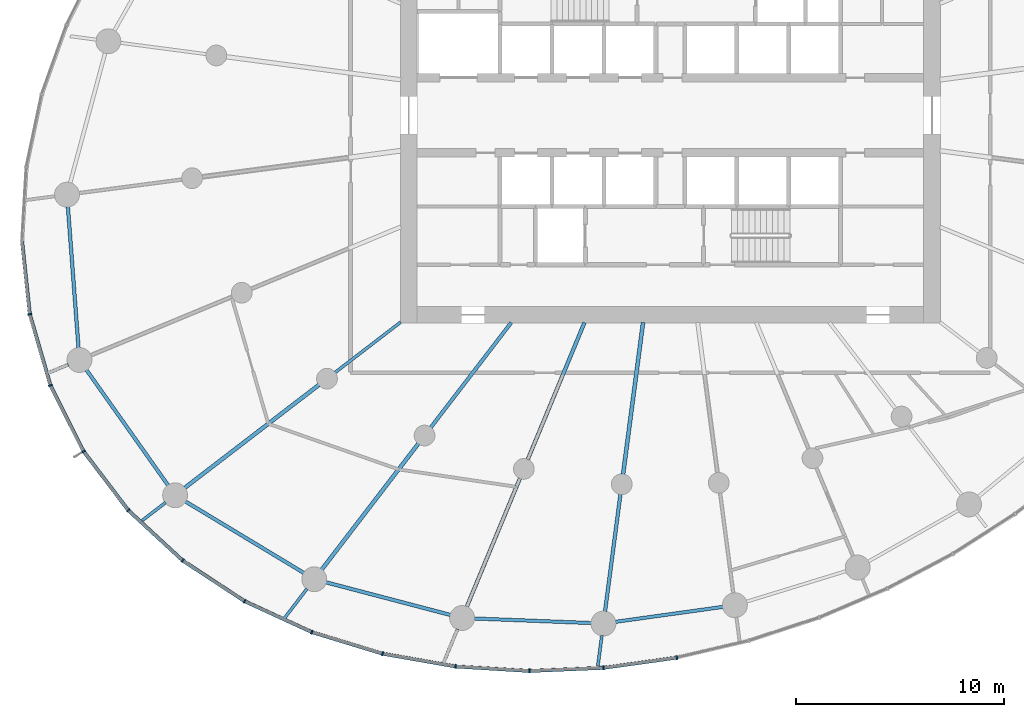
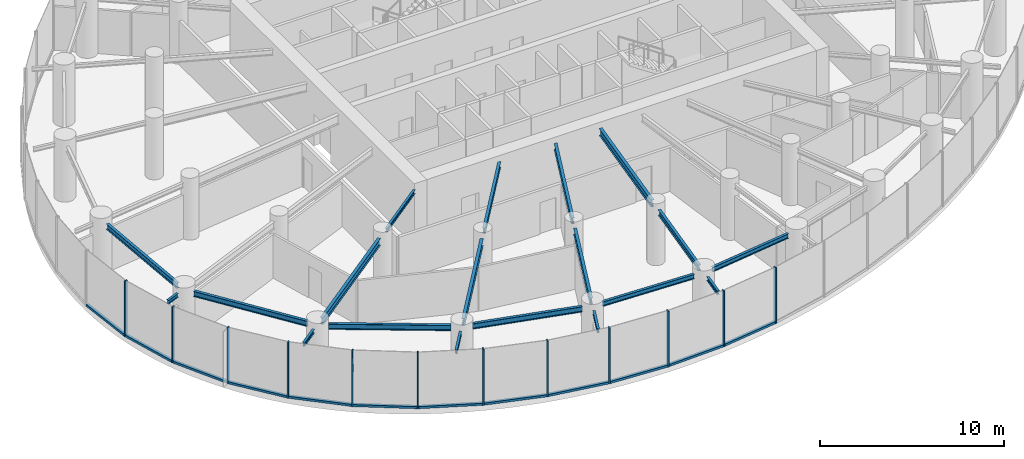
# One storey, part 2 of 17: 24 members, 19 beams, 3 elements without a shape of their own.
"""IFC4 building model written with IfcOpenShell, lengths in metres."""

from ifc_helpers import new_model, si_unit, direction, frame, origin, origin_2d, place, context, subcontext, project, spatial, rectangle, i_section, extrude, source, transform, mapped, material, layer, layer_set, material_profile, profile_set, type_object, element, aggregate, save


model = new_model("IFC4")

# Units and contexts
model_context = context("Model", 3, precision=1e-05, world=origin(), true_north=direction((0.0, 1.0)))
body_context = subcontext(model_context, "Body", "Model", "MODEL_VIEW")
ifc_project = project(units=[si_unit("LENGTHUNIT", "METRE"), si_unit("AREAUNIT", "SQUARE_METRE"), si_unit("VOLUMEUNIT", "CUBIC_METRE"), si_unit("PLANEANGLEUNIT", "RADIAN"), si_unit("MASSUNIT", "GRAM", prefix="KILO")], contexts=[model_context])

# Site, building, storey
site_placement = place(None, origin())
site = spatial("IfcSite", under=ifc_project, at=site_placement, CompositionType="ELEMENT")
building_placement = place(site_placement, origin())
building = spatial("IfcBuilding", under=site, at=building_placement, Name="Spindrift Exchange Tower", CompositionType="ELEMENT")
storey_placement = place(building_placement, frame((0.0, 0.0, 108.5)))
storey = spatial("IfcBuildingStorey", under=building, at=storey_placement, Name="L25", CompositionType="ELEMENT", Elevation=108.5)

# Beams
ifc_material_1 = material(Name="Steel Grade 300", Category="steel")
ifc_material_profile_1 = material_profile(ifc_material_1, i_section(OverallWidth=0.14599609375, OverallDepth=0.251953125, WebThickness=0.006103515625, FlangeThickness=0.008544921875, FilletRadius=0.011962890625, at=origin_2d()), Name="250UB31.4")
ifc_profile_set_1 = profile_set([ifc_material_profile_1], Name="Steel Grade 300")
beam_type_1 = type_object("IfcBeamType", Name="Floor Beam 250UB31.4 Steel Grade 300", PredefinedType="BEAM", material=ifc_profile_set_1)
shared_shape_1 = source(origin(), body_context, "Body", "SweptSolid", [
    extrude(i_section(OverallWidth=0.14599609375, OverallDepth=0.251953125, WebThickness=0.006103515625, FlangeThickness=0.008544921875, FilletRadius=0.011962890625, at=origin_2d()), origin(), (0.0, 0.0, 1.0), 3.99560546875),
])
beam_1_placement = place(storey_placement, frame((39.015869140625, 38.036865234375, 3.573974609375), z_axis=(-0.793352561574, -0.608762443851, 0.0), x_axis=(0.608762443851, -0.793352561574, 0.0)))
element("IfcBeam", 1, at=beam_1_placement, inside=storey, type_object=beam_type_1, Name="L25 radial beam R15A", PredefinedType="BEAM", context=body_context, shape_type="MappedRepresentation", body=[
    mapped(shared_shape_1, transform((0.0, 0.0, 0.0), scale=1.0)),
])
ifc_material_profile_2 = material_profile(ifc_material_1, i_section(OverallWidth=0.172119140625, OverallDepth=0.35888671875, WebThickness=0.008056640625, FlangeThickness=0.012939453125, FilletRadius=0.013916015625, at=origin_2d()), Name="360UB56.7")
ifc_profile_set_2 = profile_set([ifc_material_profile_2], Name="Steel Grade 300")
beam_type_2 = type_object("IfcBeamType", Name="Floor Beam 360UB56.7 Steel Grade 300", PredefinedType="BEAM", material=ifc_profile_set_2)
shared_shape_2 = source(origin(), body_context, "Body", "SweptSolid", [
    extrude(i_section(OverallWidth=0.172119140625, OverallDepth=0.35888671875, WebThickness=0.008056640625, FlangeThickness=0.012939453125, FilletRadius=0.013916015625, at=origin_2d()), origin(), (0.0, 0.0, 1.0), 6.37646484375),
])
beam_2_placement = place(storey_placement, frame((44.3388671875, 38.015869140625, 3.5205078125), z_axis=(-0.608766669952, -0.793349318747, 0.0), x_axis=(0.793349318747, -0.608766669952, 0.0)))
element("IfcBeam", 2, at=beam_2_placement, inside=storey, type_object=beam_type_2, Name="L25 radial beam R16A", PredefinedType="BEAM", context=body_context, shape_type="MappedRepresentation", body=[
    mapped(shared_shape_2, transform((0.0, 0.0, 0.0), scale=1.0)),
])
ifc_material_profile_3 = material_profile(ifc_material_1, i_section(OverallWidth=0.177978515625, OverallDepth=0.406005859375, WebThickness=0.0078125, FlangeThickness=0.0126953125, FilletRadius=0.013916015625, at=origin_2d()), Name="410UB59.7")
ifc_profile_set_3 = profile_set([ifc_material_profile_3], Name="Steel Grade 300")
beam_type_3 = type_object("IfcBeamType", Name="Floor Beam 410UB59.7 Steel Grade 300", PredefinedType="BEAM", material=ifc_profile_set_3)
shared_shape_3 = source(origin(), body_context, "Body", "SweptSolid", [
    extrude(i_section(OverallWidth=0.177978515625, OverallDepth=0.406005859375, WebThickness=0.0078125, FlangeThickness=0.0126953125, FilletRadius=0.013916015625, at=origin_2d()), origin(), (0.0, 0.0, 1.0), 7.150634765625),
])
beam_3_placement = place(storey_placement, frame((47.865478515625, 38.0185546875, 3.4970703125), z_axis=(-0.382665393358, -0.923887004306, 0.0), x_axis=(0.923887004306, -0.382665393358, 0.0)))
element("IfcBeam", 3, at=beam_3_placement, inside=storey, type_object=beam_type_3, Name="L25 radial beam R17A", PredefinedType="BEAM", context=body_context, shape_type="MappedRepresentation", body=[
    mapped(shared_shape_3, transform((0.0, 0.0, 0.0), scale=1.0)),
])
ifc_material_profile_4 = material_profile(ifc_material_1, i_section(OverallWidth=0.18994140625, OverallDepth=0.45703125, WebThickness=0.009033203125, FlangeThickness=0.014404296875, FilletRadius=0.013916015625, at=origin_2d()), Name="460UB74.6")
ifc_profile_set_4 = profile_set([ifc_material_profile_4], Name="Steel Grade 300")
beam_type_4 = type_object("IfcBeamType", Name="Floor Beam 460UB74.6 Steel Grade 300", PredefinedType="BEAM", material=ifc_profile_set_4)
shared_shape_4 = source(origin(), body_context, "Body", "SweptSolid", [
    extrude(i_section(OverallWidth=0.18994140625, OverallDepth=0.45703125, WebThickness=0.009033203125, FlangeThickness=0.014404296875, FilletRadius=0.013916015625, at=origin_2d()), origin(), (0.0, 0.0, 1.0), 7.374267578125),
])
beam_4_placement = place(storey_placement, frame((50.68603515625, 38.019775390625, 3.471435546875), z_axis=(-0.130539295622, -0.99144313619, 0.0), x_axis=(0.99144313619, -0.130539295622, 0.0)))
element("IfcBeam", 4, at=beam_4_placement, inside=storey, type_object=beam_type_4, Name="L25 radial beam R18A", PredefinedType="BEAM", context=body_context, shape_type="MappedRepresentation", body=[
    mapped(shared_shape_4, transform((0.0, 0.0, 0.0), scale=1.0)),
])
shared_shape_5 = source(origin(), body_context, "Body", "SweptSolid", [
    extrude(i_section(OverallWidth=0.18994140625, OverallDepth=0.45703125, WebThickness=0.009033203125, FlangeThickness=0.014404296875, FilletRadius=0.013916015625, at=origin_2d()), origin(), (0.0, 0.0, 1.0), 8.158447265625),
])
beam_5_placement = place(storey_placement, frame((35.08447265625, 35.020263671875, 3.471435546875), z_axis=(-0.793358732539, -0.608754401631, 0.0), x_axis=(0.608754401631, -0.793358732539, 0.0)))
element("IfcBeam", 5, at=beam_5_placement, inside=storey, type_object=beam_type_4, Name="L25 radial beam R15B", PredefinedType="BEAM", context=body_context, shape_type="MappedRepresentation", body=[
    mapped(shared_shape_5, transform((0.0, 0.0, 0.0), scale=1.0)),
])
shared_shape_6 = source(origin(), body_context, "Body", "SweptSolid", [
    extrude(i_section(OverallWidth=0.18994140625, OverallDepth=0.45703125, WebThickness=0.009033203125, FlangeThickness=0.014404296875, FilletRadius=0.013916015625, at=origin_2d()), origin(), (0.0, 0.0, 1.0), 7.663818359375),
])
beam_6_placement = place(storey_placement, frame((39.872802734375, 32.1953125, 3.471435546875), z_axis=(-0.608771227503, -0.793345821546, 0.0), x_axis=(0.793345821546, -0.608771227503, 0.0)))
element("IfcBeam", 6, at=beam_6_placement, inside=storey, type_object=beam_type_4, Name="L25 radial beam R16B", PredefinedType="BEAM", context=body_context, shape_type="MappedRepresentation", body=[
    mapped(shared_shape_6, transform((0.0, 0.0, 0.0), scale=1.0)),
])
shared_shape_7 = source(origin(), body_context, "Body", "SweptSolid", [
    extrude(i_section(OverallWidth=0.177978515625, OverallDepth=0.406005859375, WebThickness=0.0078125, FlangeThickness=0.0126953125, FilletRadius=0.013916015625, at=origin_2d()), origin(), (0.0, 0.0, 1.0), 6.71240234375),
])
beam_7_placement = place(storey_placement, frame((44.76171875, 30.525146484375, 3.4970703125), z_axis=(-0.382669812754, -0.923885173821, 0.0), x_axis=(0.923885173821, -0.382669812754, 0.0)))
element("IfcBeam", 7, at=beam_7_placement, inside=storey, type_object=beam_type_3, Name="L25 radial beam R17B", PredefinedType="BEAM", context=body_context, shape_type="MappedRepresentation", body=[
    mapped(shared_shape_7, transform((0.0, 0.0, 0.0), scale=1.0)),
])
shared_shape_8 = source(origin(), body_context, "Body", "SweptSolid", [
    extrude(i_section(OverallWidth=0.172119140625, OverallDepth=0.35888671875, WebThickness=0.008056640625, FlangeThickness=0.012939453125, FilletRadius=0.013916015625, at=origin_2d()), origin(), (0.0, 0.0, 1.0), 5.70751953125),
])
beam_8_placement = place(storey_placement, frame((49.59814453125, 29.7568359375, 3.5205078125), z_axis=(-0.130507624881, -0.991447305634, 0.0), x_axis=(0.991447305634, -0.130507624881, 0.0)))
element("IfcBeam", 8, at=beam_8_placement, inside=storey, type_object=beam_type_2, Name="L25 radial beam R18B", PredefinedType="BEAM", context=body_context, shape_type="MappedRepresentation", body=[
    mapped(shared_shape_8, transform((0.0, 0.0, 0.0), scale=1.0)),
])
ifc_material_profile_5 = material_profile(ifc_material_1, i_section(OverallWidth=0.172119140625, OverallDepth=0.35888671875, WebThickness=0.008056640625, FlangeThickness=0.012939453125, FilletRadius=0.013916015625, at=origin_2d()), Name="360UB56.7")
ifc_profile_set_5 = profile_set([ifc_material_profile_5], Name="Steel Grade 300")
beam_type_5 = type_object("IfcBeamType", Name="Edge Beam 360UB56.7 Steel Grade 300", PredefinedType="SPANDREL", material=ifc_profile_set_5)
shared_shape_9 = source(origin(), body_context, "Body", "SweptSolid", [
    extrude(i_section(OverallWidth=0.172119140625, OverallDepth=0.35888671875, WebThickness=0.008056640625, FlangeThickness=0.012939453125, FilletRadius=0.013916015625, at=origin_2d()), origin(), (0.0, 0.0, 1.0), 6.82373046875),
])
beam_9_placement = place(storey_placement, frame((22.9873046875, 43.59619140625, 3.5205078125), z_axis=(0.075276463877, -0.997162701863, 0.0), x_axis=(0.997162701863, 0.075276463877, 0.0)))
element("IfcBeam", 9, at=beam_9_placement, inside=storey, type_object=beam_type_5, Name="L25 edge beam E13", PredefinedType="SPANDREL", context=body_context, shape_type="MappedRepresentation", body=[
    mapped(shared_shape_9, transform((0.0, 0.0, 0.0), scale=1.0)),
])
shared_shape_10 = source(origin(), body_context, "Body", "SweptSolid", [
    extrude(i_section(OverallWidth=0.172119140625, OverallDepth=0.35888671875, WebThickness=0.008056640625, FlangeThickness=0.012939453125, FilletRadius=0.013916015625, at=origin_2d()), origin(), (0.0, 0.0, 1.0), 6.81787109375),
])
beam_10_placement = place(storey_placement, frame((23.87939453125, 35.739990234375, 3.5205078125), z_axis=(0.577526426198, -0.816371990604, 0.0), x_axis=(0.816371990604, 0.577526426198, 0.0)))
element("IfcBeam", 10, at=beam_10_placement, inside=storey, type_object=beam_type_5, Name="L25 edge beam E14", PredefinedType="SPANDREL", context=body_context, shape_type="MappedRepresentation", body=[
    mapped(shared_shape_10, transform((0.0, 0.0, 0.0), scale=1.0)),
])
shared_shape_11 = source(origin(), body_context, "Body", "SweptSolid", [
    extrude(i_section(OverallWidth=0.172119140625, OverallDepth=0.35888671875, WebThickness=0.008056640625, FlangeThickness=0.012939453125, FilletRadius=0.013916015625, at=origin_2d()), origin(), (0.0, 0.0, 1.0), 6.668701171875),
])
beam_11_placement = place(storey_placement, frame((28.6484375, 29.40087890625, 3.5205078125), z_axis=(0.856133207479, -0.516755194508, 0.0), x_axis=(0.516755194508, 0.856133207479, 0.0)))
element("IfcBeam", 11, at=beam_11_placement, inside=storey, type_object=beam_type_5, Name="L25 edge beam E15", PredefinedType="SPANDREL", context=body_context, shape_type="MappedRepresentation", body=[
    mapped(shared_shape_11, transform((0.0, 0.0, 0.0), scale=1.0)),
])
shared_shape_12 = source(origin(), body_context, "Body", "SweptSolid", [
    extrude(i_section(OverallWidth=0.172119140625, OverallDepth=0.35888671875, WebThickness=0.008056640625, FlangeThickness=0.012939453125, FilletRadius=0.013916015625, at=origin_2d()), origin(), (0.0, 0.0, 1.0), 6.197509765625),
])
beam_12_placement = place(storey_placement, frame((35.415283203125, 25.508056640625, 3.5205078125), z_axis=(0.967254420813, -0.253808757567, 0.0), x_axis=(0.253808757567, 0.967254420813, 0.0)))
element("IfcBeam", 12, at=beam_12_placement, inside=storey, type_object=beam_type_5, Name="L25 edge beam E16", PredefinedType="SPANDREL", context=body_context, shape_type="MappedRepresentation", body=[
    mapped(shared_shape_12, transform((0.0, 0.0, 0.0), scale=1.0)),
])
ifc_material_profile_6 = material_profile(ifc_material_1, i_section(OverallWidth=0.1650390625, OverallDepth=0.303955078125, WebThickness=0.006103515625, FlangeThickness=0.01025390625, FilletRadius=0.011474609375, at=origin_2d()), Name="310UB40.4")
ifc_profile_set_6 = profile_set([ifc_material_profile_6], Name="Steel Grade 300")
beam_type_6 = type_object("IfcBeamType", Name="Edge Beam 310UB40.4 Steel Grade 300", PredefinedType="SPANDREL", material=ifc_profile_set_6)
shared_shape_13 = source(origin(), body_context, "Body", "SweptSolid", [
    extrude(i_section(OverallWidth=0.1650390625, OverallDepth=0.303955078125, WebThickness=0.006103515625, FlangeThickness=0.01025390625, FilletRadius=0.011474609375, at=origin_2d()), origin(), (0.0, 0.0, 1.0), 5.65185546875),
])
beam_13_placement = place(storey_placement, frame((42.550537109375, 23.765380859375, 3.548095703125), z_axis=(0.99924397539, -0.038877726865, 0.0), x_axis=(0.038877726865, 0.99924397539, 0.0)))
element("IfcBeam", 13, at=beam_13_placement, inside=storey, type_object=beam_type_6, Name="L25 edge beam E17", PredefinedType="SPANDREL", context=body_context, shape_type="MappedRepresentation", body=[
    mapped(shared_shape_13, transform((0.0, 0.0, 0.0), scale=1.0)),
])
shared_shape_14 = source(origin(), body_context, "Body", "SweptSolid", [
    extrude(i_section(OverallWidth=0.1650390625, OverallDepth=0.303955078125, WebThickness=0.006103515625, FlangeThickness=0.01025390625, FilletRadius=0.011474609375, at=origin_2d()), origin(), (0.0, 0.0, 1.0), 5.22998046875),
])
beam_14_placement = place(storey_placement, frame((49.35205078125, 23.603271484375, 3.548095703125), z_axis=(0.990440078597, 0.137943650481, 0.0), x_axis=(-0.137943650481, 0.990440078597, 0.0)))
element("IfcBeam", 14, at=beam_14_placement, inside=storey, type_object=beam_type_6, Name="L25 edge beam E18", PredefinedType="SPANDREL", context=body_context, shape_type="MappedRepresentation", body=[
    mapped(shared_shape_14, transform((0.0, 0.0, 0.0), scale=1.0)),
])
ifc_material_profile_7 = material_profile(ifc_material_1, i_section(OverallWidth=0.14599609375, OverallDepth=0.251953125, WebThickness=0.006103515625, FlangeThickness=0.008544921875, FilletRadius=0.011962890625, at=origin_2d()), Name="250UB31.4")
ifc_profile_set_7 = profile_set([ifc_material_profile_7], Name="Steel Grade 300")
beam_type_7 = type_object("IfcBeamType", Name="Cantilever Beam 250UB31.4 Steel Grade 300", PredefinedType="BEAM", material=ifc_profile_set_7)
shared_shape_15 = source(origin(), body_context, "Body", "SweptSolid", [
    extrude(i_section(OverallWidth=0.14599609375, OverallDepth=0.251953125, WebThickness=0.006103515625, FlangeThickness=0.008544921875, FilletRadius=0.011962890625, at=origin_2d()), origin(), (0.0, 0.0, 1.0), 0.8896484375),
])
beam_15_placement = place(storey_placement, frame((23.0087890625, 35.991455078125, 3.573974609375), z_axis=(-0.923806046663, -0.38286079474, 0.0), x_axis=(0.38286079474, -0.923806046663, 0.0)))
element("IfcBeam", 15, at=beam_15_placement, inside=storey, type_object=beam_type_7, Name="L25 cantilever beam R14T", PredefinedType="BEAM", context=body_context, shape_type="MappedRepresentation", body=[
    mapped(shared_shape_15, transform((0.0, 0.0, 0.0), scale=1.0)),
])
shared_shape_16 = source(origin(), body_context, "Body", "SweptSolid", [
    extrude(i_section(OverallWidth=0.14599609375, OverallDepth=0.251953125, WebThickness=0.006103515625, FlangeThickness=0.008544921875, FilletRadius=0.011962890625, at=origin_2d()), origin(), (0.0, 0.0, 1.0), 1.416015625),
])
beam_16_placement = place(storey_placement, frame((27.691650390625, 29.347412109375, 3.573974609375), z_axis=(-0.793456484075, -0.608626985829, 0.0), x_axis=(0.608626985829, -0.793456484075, 0.0)))
element("IfcBeam", 16, at=beam_16_placement, inside=storey, type_object=beam_type_7, Name="L25 cantilever beam R15T", PredefinedType="BEAM", context=body_context, shape_type="MappedRepresentation", body=[
    mapped(shared_shape_16, transform((0.0, 0.0, 0.0), scale=1.0)),
])
shared_shape_17 = source(origin(), body_context, "Body", "SweptSolid", [
    extrude(i_section(OverallWidth=0.14599609375, OverallDepth=0.251953125, WebThickness=0.006103515625, FlangeThickness=0.008544921875, FilletRadius=0.011962890625, at=origin_2d()), origin(), (0.0, 0.0, 1.0), 1.8271484375),
])
beam_17_placement = place(storey_placement, frame((34.501220703125, 25.195068359375, 3.573974609375), z_axis=(-0.608728828433, -0.793378354529, 0.0), x_axis=(0.793378354529, -0.608728828433, 0.0)))
element("IfcBeam", 17, at=beam_17_placement, inside=storey, type_object=beam_type_7, Name="L25 cantilever beam R16T", PredefinedType="BEAM", context=body_context, shape_type="MappedRepresentation", body=[
    mapped(shared_shape_17, transform((0.0, 0.0, 0.0), scale=1.0)),
])
shared_shape_18 = source(origin(), body_context, "Body", "SweptSolid", [
    extrude(i_section(OverallWidth=0.14599609375, OverallDepth=0.251953125, WebThickness=0.006103515625, FlangeThickness=0.008544921875, FilletRadius=0.011962890625, at=origin_2d()), origin(), (0.0, 0.0, 1.0), 1.7861328125),
])
beam_18_placement = place(storey_placement, frame((41.7490234375, 23.251953125, 3.573974609375), z_axis=(-0.382721994914, -0.923863558438, 0.0), x_axis=(0.923863558438, -0.382721994914, 0.0)))
element("IfcBeam", 18, at=beam_18_placement, inside=storey, type_object=beam_type_7, Name="L25 cantilever beam R17T", PredefinedType="BEAM", context=body_context, shape_type="MappedRepresentation", body=[
    mapped(shared_shape_18, transform((0.0, 0.0, 0.0), scale=1.0)),
])
shared_shape_19 = source(origin(), body_context, "Body", "SweptSolid", [
    extrude(i_section(OverallWidth=0.14599609375, OverallDepth=0.251953125, WebThickness=0.006103515625, FlangeThickness=0.008544921875, FilletRadius=0.011962890625, at=origin_2d()), origin(), (0.0, 0.0, 1.0), 1.489990234375),
])
beam_19_placement = place(storey_placement, frame((48.701904296875, 22.9482421875, 3.573974609375), z_axis=(-0.130585901169, -0.991436998712, 0.0), x_axis=(0.991436998712, -0.130585901169, 0.0)))
element("IfcBeam", 19, at=beam_19_placement, inside=storey, type_object=beam_type_7, Name="L25 cantilever beam R18T", PredefinedType="BEAM", context=body_context, shape_type="MappedRepresentation", body=[
    mapped(shared_shape_19, transform((0.0, 0.0, 0.0), scale=1.0)),
])

# Curtain wall, members
ifc_material_2 = material(Name="Fritted laminated glass with bronze frame", Category="glass")
ifc_layer = layer(ifc_material_2, 0.18994140625)
ifc_layer_set = layer_set([ifc_layer], Name="ZONE 2 BRONZE FRITTED WALL")
curtain_wall_type = type_object("IfcCurtainWallType", Name="ZONE 2 BRONZE FRITTED WALL", PredefinedType="NOTDEFINED", material=ifc_layer_set)
curtain_wall_1_placement = place(storey_placement, origin())
curtain_wall_1 = element("IfcCurtainWall", 20, at=curtain_wall_1_placement, inside=storey, type_object=curtain_wall_type, Name="L25 Zone 2 Bronze Fritted Wall run 5", PredefinedType="NOTDEFINED")
ifc_material_3 = material(Name="Bronze anodised aluminium", Category="aluminium")
ifc_material_profile_8 = material_profile(ifc_material_3, rectangle(XDim=0.074951171875, YDim=0.18994140625, at=origin_2d()), Name="ZONE 2 BRONZE FRITTED WALL MULLION 75X190")
ifc_profile_set_8 = profile_set([ifc_material_profile_8], Name="Bronze anodised aluminium")
member_type_1 = type_object("IfcMemberType", Name="ZONE 2 BRONZE FRITTED WALL MULLION 75X190", PredefinedType="MULLION", material=ifc_profile_set_8)
shared_shape_20 = source(origin(), body_context, "Body", "SweptSolid", [
    extrude(rectangle(XDim=0.074951171875, YDim=0.18994140625, at=origin_2d()), origin(), (0.0, 0.0, 1.0), 3.699951171875),
])
member_1_placement = place(storey_placement, frame((21.15380859375, 38.416259765625, 0.0), z_axis=(0.0, 0.0, 1.0), x_axis=(0.192793040194, -0.981239442569, 0.0)))
member_1 = element("IfcMember", 21, at=member_1_placement, type_object=member_type_1, Name="L25 mullion CW-2.25", PredefinedType="MULLION", context=body_context, shape_type="MappedRepresentation", body=[
    mapped(shared_shape_20, transform((0.0, 0.0, 0.0), scale=1.0)),
])
member_2_placement = place(storey_placement, frame((22.14599609375, 34.994384765625, 0.0), z_axis=(0.0, 0.0, 1.0), x_axis=(0.365229168887, -0.93091764093, 0.0)))
member_2 = element("IfcMember", 22, at=member_2_placement, type_object=member_type_1, Name="L25 mullion CW-2.26", PredefinedType="MULLION", context=body_context, shape_type="MappedRepresentation", body=[
    mapped(shared_shape_20, transform((0.0, 0.0, 0.0), scale=1.0)),
])
member_3_placement = place(storey_placement, frame((23.745361328125, 31.810791015625, 0.0), z_axis=(0.0, 0.0, 1.0), x_axis=(0.528877031917, -0.848698465364, 0.0)))
member_3 = element("IfcMember", 23, at=member_3_placement, type_object=member_type_1, Name="L25 mullion CW-2.27", PredefinedType="MULLION", context=body_context, shape_type="MappedRepresentation", body=[
    mapped(shared_shape_20, transform((0.0, 0.0, 0.0), scale=1.0)),
])
member_4_placement = place(storey_placement, frame((25.898681640625, 28.972412109375, 0.0), z_axis=(0.0, 0.0, 1.0), x_axis=(0.672180147528, -0.740387634465, 0.0)))
member_4 = element("IfcMember", 24, at=member_4_placement, type_object=member_type_1, Name="L25 mullion CW-2.28", PredefinedType="MULLION", context=body_context, shape_type="MappedRepresentation", body=[
    mapped(shared_shape_20, transform((0.0, 0.0, 0.0), scale=1.0)),
])
member_5_placement = place(storey_placement, frame((28.51708984375, 26.55517578125, 0.0), z_axis=(0.0, 0.0, 1.0), x_axis=(0.787941192221, -0.615750499474, 0.0)))
member_5 = element("IfcMember", 25, at=member_5_placement, type_object=member_type_1, Name="L25 mullion CW-2.29", PredefinedType="MULLION", context=body_context, shape_type="MappedRepresentation", body=[
    mapped(shared_shape_20, transform((0.0, 0.0, 0.0), scale=1.0)),
])
member_6_placement = place(storey_placement, frame((31.495849609375, 24.598388671875, 0.0), z_axis=(0.0, 0.0, 1.0), x_axis=(0.8745766434, -0.484887301154, 0.0)))
member_6 = element("IfcMember", 26, at=member_6_placement, type_object=member_type_1, Name="L25 mullion CW-2.30", PredefinedType="MULLION", context=body_context, shape_type="MappedRepresentation", body=[
    mapped(shared_shape_20, transform((0.0, 0.0, 0.0), scale=1.0)),
])

curtain_wall_2_placement = place(storey_placement, origin())
curtain_wall_2 = element("IfcCurtainWall", 27, at=curtain_wall_2_placement, inside=storey, type_object=curtain_wall_type, Name="L25 Zone 2 Bronze Fritted Wall run 6", PredefinedType="NOTDEFINED")
member_7_placement = place(storey_placement, frame((34.734130859375, 23.1083984375, 0.0), z_axis=(0.0, 0.0, 1.0), x_axis=(0.934675612317, -0.355501757718, 0.0)))
member_7 = element("IfcMember", 28, at=member_7_placement, type_object=member_type_1, Name="L25 mullion CW-2.31", PredefinedType="MULLION", context=body_context, shape_type="MappedRepresentation", body=[
    mapped(shared_shape_20, transform((0.0, 0.0, 0.0), scale=1.0)),
])
member_8_placement = place(storey_placement, frame((38.144775390625, 22.069580078125, 0.0), z_axis=(0.0, 0.0, 1.0), x_axis=(0.972693777691, -0.232092255023, 0.0)))
member_8 = element("IfcMember", 29, at=member_8_placement, type_object=member_type_1, Name="L25 mullion CW-2.32", PredefinedType="MULLION", context=body_context, shape_type="MappedRepresentation", body=[
    mapped(shared_shape_20, transform((0.0, 0.0, 0.0), scale=1.0)),
])
member_9_placement = place(storey_placement, frame((41.657470703125, 21.456298828125, 0.0), z_axis=(0.0, 0.0, 1.0), x_axis=(0.993178012465, -0.116608042416, 0.0)))
member_9 = element("IfcMember", 30, at=member_9_placement, type_object=member_type_1, Name="L25 mullion CW-2.33", PredefinedType="MULLION", context=body_context, shape_type="MappedRepresentation", body=[
    mapped(shared_shape_20, transform((0.0, 0.0, 0.0), scale=1.0)),
])
member_10_placement = place(storey_placement, frame((45.216796875, 21.2392578125, 0.0), z_axis=(0.0, 0.0, 1.0), x_axis=(0.999956267793, -0.009352138889, 0.0)))
member_10 = element("IfcMember", 31, at=member_10_placement, type_object=member_type_1, Name="L25 mullion CW-2.34", PredefinedType="MULLION", context=body_context, shape_type="MappedRepresentation", body=[
    mapped(shared_shape_20, transform((0.0, 0.0, 0.0), scale=1.0)),
])
member_11_placement = place(storey_placement, frame((48.77978515625, 21.389892578125, 0.0), z_axis=(0.0, 0.0, 1.0), x_axis=(0.995922812922, 0.090209482328, 0.0)))
member_11 = element("IfcMember", 32, at=member_11_placement, type_object=member_type_1, Name="L25 mullion CW-2.35", PredefinedType="MULLION", context=body_context, shape_type="MappedRepresentation", body=[
    mapped(shared_shape_20, transform((0.0, 0.0, 0.0), scale=1.0)),
])
member_12_placement = place(storey_placement, frame((52.312255859375, 21.882080078125, 0.0), z_axis=(0.0, 0.0, 1.0), x_axis=(0.983120387525, 0.182959841585, 0.0)))
member_12 = element("IfcMember", 33, at=member_12_placement, type_object=member_type_1, Name="L25 mullion CW-2.36", PredefinedType="MULLION", context=body_context, shape_type="MappedRepresentation", body=[
    mapped(shared_shape_20, transform((0.0, 0.0, 0.0), scale=1.0)),
])

# Member
ifc_material_profile_9 = material_profile(ifc_material_3, rectangle(XDim=0.169921875, YDim=0.139892578125, at=origin_2d()), Name="ZONE 2 BRONZE FRITTED WALL TRANSOM 170X140")
ifc_profile_set_9 = profile_set([ifc_material_profile_9], Name="Bronze anodised aluminium")
member_type_2 = type_object("IfcMemberType", Name="ZONE 2 BRONZE FRITTED WALL TRANSOM 170X140", PredefinedType="USERDEFINED", material=ifc_profile_set_9)
shared_shape_21 = source(origin(), body_context, "Body", "SweptSolid", [
    extrude(rectangle(XDim=0.169921875, YDim=0.139892578125, at=origin_2d()), origin(), (0.0, 0.0, 1.0), 3.489013671875),
])
member_13_placement = place(storey_placement, frame((28.54833984375, 26.53466796875, 0.070068359375), z_axis=(0.835799062102, -0.549035452215, 0.0), x_axis=(0.549035452215, 0.835799062102, 0.0)))
member_13 = element("IfcMember", 34, at=member_13_placement, type_object=member_type_2, Name="L25 transom CW-2.29", ObjectType="TRANSOM", PredefinedType="USERDEFINED", context=body_context, shape_type="MappedRepresentation", body=[
    mapped(shared_shape_21, transform((0.0, 0.0, 0.0), scale=1.0)),
])

shared_shape_22 = source(origin(), body_context, "Body", "SweptSolid", [
    extrude(rectangle(XDim=0.169921875, YDim=0.139892578125, at=origin_2d()), origin(), (0.0, 0.0, 1.0), 3.487548828125),
])
member_14_placement = place(storey_placement, frame((22.162841796875, 34.9609375, 0.070068359375), z_axis=(0.448920821232, -0.893571539533, 0.0), x_axis=(0.893571539533, 0.448920821232, 0.0)))
member_14 = element("IfcMember", 35, at=member_14_placement, type_object=member_type_2, Name="L25 transom CW-2.26", ObjectType="TRANSOM", PredefinedType="USERDEFINED", context=body_context, shape_type="MappedRepresentation", body=[
    mapped(shared_shape_22, transform((0.0, 0.0, 0.0), scale=1.0)),
])

shared_shape_23 = source(origin(), body_context, "Body", "SweptSolid", [
    extrude(rectangle(XDim=0.169921875, YDim=0.139892578125, at=origin_2d()), origin(), (0.0, 0.0, 1.0), 3.48779296875),
])
member_15_placement = place(storey_placement, frame((21.164306640625, 38.38037109375, 0.070068359375), z_axis=(0.278454070036, -0.960449546244, 0.0), x_axis=(0.960449546244, 0.278454070036, 0.0)))
member_15 = element("IfcMember", 36, at=member_15_placement, type_object=member_type_2, Name="L25 transom CW-2.25", ObjectType="TRANSOM", PredefinedType="USERDEFINED", context=body_context, shape_type="MappedRepresentation", body=[
    mapped(shared_shape_23, transform((0.0, 0.0, 0.0), scale=1.0)),
])

member_16_placement = place(storey_placement, frame((23.76806640625, 31.781005859375, 0.070068359375), z_axis=(0.604358904616, -0.79671219045, 0.0), x_axis=(0.79671219045, 0.604358904616, 0.0)))
member_16 = element("IfcMember", 37, at=member_16_placement, type_object=member_type_2, Name="L25 transom CW-2.27", ObjectType="TRANSOM", PredefinedType="USERDEFINED", context=body_context, shape_type="MappedRepresentation", body=[
    mapped(shared_shape_23, transform((0.0, 0.0, 0.0), scale=1.0)),
])

shared_shape_24 = source(origin(), body_context, "Body", "SweptSolid", [
    extrude(rectangle(XDim=0.169921875, YDim=0.139892578125, at=origin_2d()), origin(), (0.0, 0.0, 1.0), 3.49072265625),
])
member_17_placement = place(storey_placement, frame((38.181640625, 22.063232421875, 0.070068359375), z_axis=(0.985100156482, -0.171981631863, 0.0), x_axis=(0.171981631863, 0.985100156482, 0.0)))
member_17 = element("IfcMember", 38, at=member_17_placement, type_object=member_type_2, Name="L25 transom CW-2.32", ObjectType="TRANSOM", PredefinedType="USERDEFINED", context=body_context, shape_type="MappedRepresentation", body=[
    mapped(shared_shape_24, transform((0.0, 0.0, 0.0), scale=1.0)),
])

shared_shape_25 = source(origin(), body_context, "Body", "SweptSolid", [
    extrude(rectangle(XDim=0.169921875, YDim=0.139892578125, at=origin_2d()), origin(), (0.0, 0.0, 1.0), 3.491455078125),
])
member_18_placement = place(storey_placement, frame((45.254150390625, 21.240966796875, 0.070068359375), z_axis=(0.999110630826, 0.042165713213, 0.0), x_axis=(-0.042165713213, 0.999110630826, 0.0)))
member_18 = element("IfcMember", 39, at=member_18_placement, type_object=member_type_2, Name="L25 transom CW-2.34", ObjectType="TRANSOM", PredefinedType="USERDEFINED", context=body_context, shape_type="MappedRepresentation", body=[
    mapped(shared_shape_25, transform((0.0, 0.0, 0.0), scale=1.0)),
])

member_19_placement = place(storey_placement, frame((48.817138671875, 21.39501953125, 0.070068359375), z_axis=(0.990437142068, 0.137964733218, 0.0), x_axis=(-0.137964733218, 0.990437142068, 0.0)))
member_19 = element("IfcMember", 40, at=member_19_placement, type_object=member_type_2, Name="L25 transom CW-2.35", ObjectType="TRANSOM", PredefinedType="USERDEFINED", context=body_context, shape_type="MappedRepresentation", body=[
    mapped(shared_shape_25, transform((0.0, 0.0, 0.0), scale=1.0)),
])

shared_shape_26 = source(origin(), body_context, "Body", "SweptSolid", [
    extrude(rectangle(XDim=0.169921875, YDim=0.139892578125, at=origin_2d()), origin(), (0.0, 0.0, 1.0), 3.490966796875),
])
member_20_placement = place(storey_placement, frame((41.69482421875, 21.4541015625, 0.070068359375), z_axis=(0.998147450402, -0.060841328512, 0.0), x_axis=(0.060841328512, 0.998147450402, 0.0)))
member_20 = element("IfcMember", 41, at=member_20_placement, type_object=member_type_2, Name="L25 transom CW-2.33", ObjectType="TRANSOM", PredefinedType="USERDEFINED", context=body_context, shape_type="MappedRepresentation", body=[
    mapped(shared_shape_26, transform((0.0, 0.0, 0.0), scale=1.0)),
])

shared_shape_27 = source(origin(), body_context, "Body", "SweptSolid", [
    extrude(rectangle(XDim=0.169921875, YDim=0.139892578125, at=origin_2d()), origin(), (0.0, 0.0, 1.0), 3.490234375),
])
member_21_placement = place(storey_placement, frame((34.77001953125, 23.097412109375, 0.070068359375), z_axis=(0.956620495078, -0.291336967096, 0.0), x_axis=(0.291336967096, 0.956620495078, 0.0)))
member_21 = element("IfcMember", 42, at=member_21_placement, type_object=member_type_2, Name="L25 transom CW-2.31", ObjectType="TRANSOM", PredefinedType="USERDEFINED", context=body_context, shape_type="MappedRepresentation", body=[
    mapped(shared_shape_27, transform((0.0, 0.0, 0.0), scale=1.0)),
])

aggregate(curtain_wall_2, [member_7, member_21, member_8, member_17, member_9, member_20, member_10, member_18, member_11, member_19, member_12])

# Curtain wall, member
curtain_wall_3_placement = place(storey_placement, origin())
curtain_wall_3 = element("IfcCurtainWall", 43, at=curtain_wall_3_placement, inside=storey, type_object=curtain_wall_type, Name="L25 Zone 2 Bronze Fritted Wall run 4", PredefinedType="NOTDEFINED")
shared_shape_28 = source(origin(), body_context, "Body", "SweptSolid", [
    extrude(rectangle(XDim=0.169921875, YDim=0.139892578125, at=origin_2d()), origin(), (0.0, 0.0, 1.0), 3.488525390625),
])
member_22_placement = place(storey_placement, frame((20.781494140625, 41.922607421875, 0.070068359375), z_axis=(0.105606424213, -0.994408006386, 0.0), x_axis=(0.994408006386, 0.105606424213, 0.0)))
member_22 = element("IfcMember", 44, at=member_22_placement, type_object=member_type_2, Name="L25 transom CW-2.24", ObjectType="TRANSOM", PredefinedType="USERDEFINED", context=body_context, shape_type="MappedRepresentation", body=[
    mapped(shared_shape_28, transform((0.0, 0.0, 0.0), scale=1.0)),
])
aggregate(curtain_wall_3, [member_22])

# Member
member_23_placement = place(storey_placement, frame((25.92626953125, 28.947021484375, 0.070068359375), z_axis=(0.734747098291, -0.678341139511, 0.0), x_axis=(0.678341139511, 0.734747098291, 0.0)))
member_23 = element("IfcMember", 45, at=member_23_placement, type_object=member_type_2, Name="L25 transom CW-2.28", ObjectType="TRANSOM", PredefinedType="USERDEFINED", context=body_context, shape_type="MappedRepresentation", body=[
    mapped(shared_shape_28, transform((0.0, 0.0, 0.0), scale=1.0)),
])

shared_shape_29 = source(origin(), body_context, "Body", "SweptSolid", [
    extrude(rectangle(XDim=0.169921875, YDim=0.139892578125, at=origin_2d()), origin(), (0.0, 0.0, 1.0), 3.489990234375),
])
member_24_placement = place(storey_placement, frame((31.52978515625, 24.582763671875, 0.070068359375), z_axis=(0.908452202722, -0.41798875029, 0.0), x_axis=(0.41798875029, 0.908452202722, 0.0)))
member_24 = element("IfcMember", 46, at=member_24_placement, type_object=member_type_2, Name="L25 transom CW-2.30", ObjectType="TRANSOM", PredefinedType="USERDEFINED", context=body_context, shape_type="MappedRepresentation", body=[
    mapped(shared_shape_29, transform((0.0, 0.0, 0.0), scale=1.0)),
])

aggregate(curtain_wall_1, [member_1, member_15, member_2, member_14, member_3, member_16, member_4, member_23, member_5, member_13, member_6, member_24])

save(model, "model.ifc")
